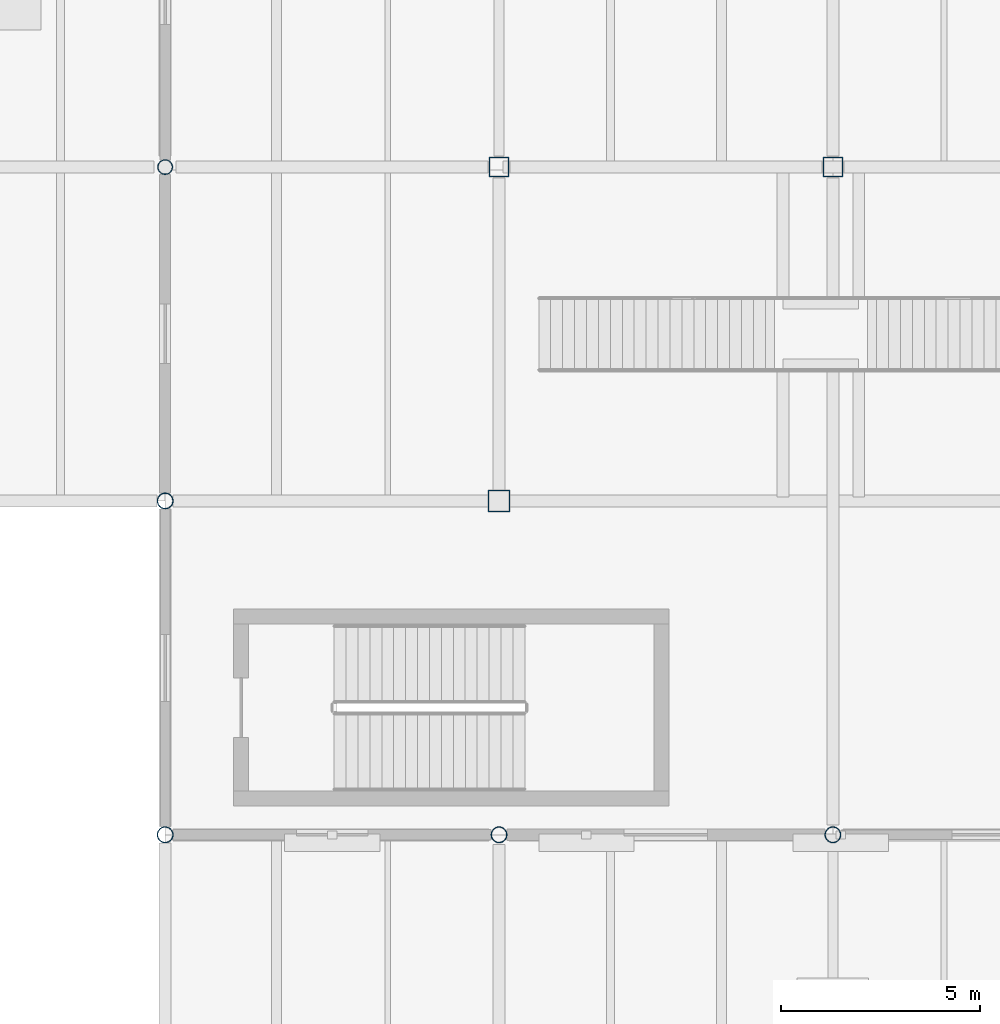
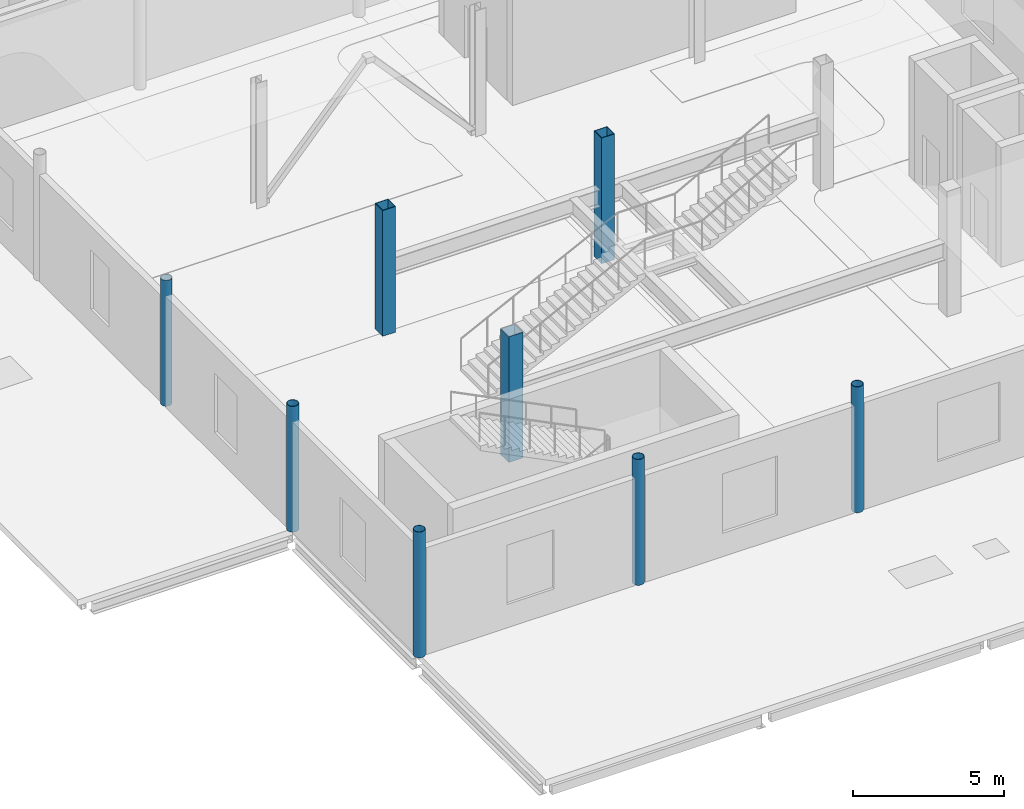
# One storey, part 3 of 103: 8 columns.
"""IFC4 building model written with IfcOpenShell, lengths in metres."""

import ifcopenshell
import ifcopenshell.guid

model = None  # the IFC model being written
_history = None  # IfcOwnerHistory: only IFC2X3 demands one
_inside = {}  # id of a spatial element -> (the spatial element, [elements in it])
_under = {}  # id of a project, library or spatial element -> (it, [spatial elements below it])
_declared = {}  # id of a project -> (the project, [libraries it declares])
_typed = {}  # id of a type object -> (the type object, [elements of that type])
_made_of = {}  # id of a material, layer set ... -> (it, [elements and type objects made of it])


def new_model(schema):
    """Start an empty IFC model of exactly this schema.

    Asked for "IFC4X3", IfcOpenShell would pick the latest addendum, in which some entities
    have other attributes; the version numbers below select the first issue.
    IFC2X3 requires an IfcOwnerHistory on every rooted entity: one is made here for all.
    """
    global model, _history
    if schema == "IFC4X3":
        model = ifcopenshell.file(schema_version=(4, 3, 0, 0))
    else:
        model = ifcopenshell.file(schema=schema)
    _inside.clear()
    _under.clear()
    _declared.clear()
    _typed.clear()
    _made_of.clear()
    _history = None
    if model.schema == "IFC2X3":
        org = make("IfcOrganization", Name="unknown")
        user = make(
            "IfcPersonAndOrganization",
            ThePerson=make("IfcPerson", FamilyName="unknown"),
            TheOrganization=org,
        )
        app = make(
            "IfcApplication",
            ApplicationDeveloper=org,
            Version="unknown",
            ApplicationFullName="unknown",
            ApplicationIdentifier="unknown",
        )
        _history = make(
            "IfcOwnerHistory",
            OwningUser=user,
            OwningApplication=app,
            ChangeAction="ADDED",
            CreationDate=0,
        )
    return model


def make(cls, **values):
    """One entity of the class cls with the attributes given. An attribute that is None is left unset."""
    return model.create_entity(
        cls, **{name: value for name, value in values.items() if value is not None}
    )


def rooted(cls, **values):
    """An entity with a GlobalId (a new one), such as an element, a storey or a relation."""
    return make(cls, GlobalId=ifcopenshell.guid.new(), OwnerHistory=_history, **values)


def si_unit(unit_type, name, prefix=None):
    """IfcSIUnit, for example si_unit("LENGTHUNIT", "METRE", prefix="MILLI")."""
    return make("IfcSIUnit", UnitType=unit_type, Prefix=prefix, Name=name)


def assignment(units):
    """IfcUnitAssignment: the units of a project."""
    return None if units is None else make("IfcUnitAssignment", Units=units)


def point(xyz):
    """IfcCartesianPoint."""
    return None if xyz is None else make("IfcCartesianPoint", Coordinates=xyz)


def direction(xyz):
    """IfcDirection."""
    return None if xyz is None else make("IfcDirection", DirectionRatios=xyz)


def frame(location, z_axis=None, x_axis=None):
    """IfcAxis2Placement3D, a coordinate frame: its origin and axes. An axis left out is left unset."""
    return make(
        "IfcAxis2Placement3D",
        Location=point(location),
        Axis=direction(z_axis),
        RefDirection=direction(x_axis),
    )


def frame_2d(location, x_axis=None):
    """IfcAxis2Placement2D, a coordinate frame in the plane: its origin and x axis."""
    return make(
        "IfcAxis2Placement2D", Location=point(location), RefDirection=direction(x_axis)
    )


def origin():
    """The frame at (0, 0, 0) with its axes left unset."""
    return frame((0.0, 0.0, 0.0))


def origin_2d():
    """The frame at (0, 0) in the plane with its x axis left unset."""
    return frame_2d((0.0, 0.0))


def place(relative_to, where):
    """IfcLocalPlacement: puts the frame where relative to a parent placement (None: the world)."""
    return make(
        "IfcLocalPlacement", PlacementRelTo=relative_to, RelativePlacement=where
    )


def context(
    kind, dimensions, precision=None, world=None, true_north=None, identifier=None
):
    """IfcGeometricRepresentationContext, for example the 3D "Model" context."""
    return make(
        "IfcGeometricRepresentationContext",
        ContextIdentifier=identifier,
        ContextType=kind,
        CoordinateSpaceDimension=dimensions,
        Precision=precision,
        WorldCoordinateSystem=world,
        TrueNorth=true_north,
    )


def subcontext(parent, identifier, kind, view, scale=None):
    """IfcGeometricRepresentationSubContext, for example "Body" below "Model"."""
    return make(
        "IfcGeometricRepresentationSubContext",
        ContextIdentifier=identifier,
        ContextType=kind,
        ParentContext=parent,
        TargetScale=scale,
        TargetView=view,
    )


def project(units=None, contexts=None):
    """IfcProject with its units and contexts."""
    return rooted(
        "IfcProject",
        Name="project",
        RepresentationContexts=contexts,
        UnitsInContext=assignment(units),
    )


def spatial(cls, under=None, at=None, **own):
    """A site, building, storey or space (cls), placed at a placement, below another one or the project."""
    s = rooted(cls, ObjectPlacement=at, **own)
    if under is not None:
        _under.setdefault(under.id(), (under, []))[1].append(s)
    return s


def profile(cls, at=None, kind="AREA", **sizes):
    """A parametric profile (cls). Its sizes go by their IFC names, for example OverallWidth=200.0."""
    return make(cls, ProfileType=kind, Position=at, **sizes)


def hollow_rectangle(**sizes):
    """IfcRectangleHollowProfileDef."""
    return profile("IfcRectangleHollowProfileDef", **sizes)


def hollow_circle(**sizes):
    """IfcCircleHollowProfileDef."""
    return profile("IfcCircleHollowProfileDef", **sizes)


def extrude(swept, where, along, depth):
    """IfcExtrudedAreaSolid: the profile swept, set in the frame where, extruded along a direction by depth."""
    return make(
        "IfcExtrudedAreaSolid",
        SweptArea=swept,
        Position=where,
        ExtrudedDirection=direction(along),
        Depth=depth,
    )


def shape(context_of_items, identifier, shape_type, items):
    """IfcShapeRepresentation: the items that make up one representation, for example the "Body"."""
    return make(
        "IfcShapeRepresentation",
        ContextOfItems=context_of_items,
        RepresentationIdentifier=identifier,
        RepresentationType=shape_type,
        Items=items,
    )


def material(Name=None, Category=None):
    """IfcMaterial."""
    return make("IfcMaterial", Name=Name, Category=Category)


def material_profile(
    of_material, cross_section, Name=None, Category=None, Priority=None
):
    """IfcMaterialProfile: a cross section and its material."""
    return make(
        "IfcMaterialProfile",
        Name=Name,
        Material=of_material,
        Profile=cross_section,
        Priority=Priority,
        Category=Category,
    )


def profile_set(profiles, Name=None, composite=None):
    """IfcMaterialProfileSet."""
    return make(
        "IfcMaterialProfileSet",
        Name=Name,
        MaterialProfiles=profiles,
        CompositeProfile=composite,
    )


def made_of(thing, what):
    """Note that an element or type object is made of a material, layer set ...; save() writes the relation."""
    if what is not None:
        _made_of.setdefault(what.id(), (what, []))[1].append(thing)
    return thing


def type_object(cls, material=None, **own):
    """A type object (cls), such as IfcWallType, which elements share."""
    return made_of(rooted(cls, **own), material)


def element(
    cls,
    number,
    at=None,
    inside=None,
    cuts=None,
    type_object=None,
    material=None,
    context=None,
    identifier="Body",
    shape_type=None,
    held_by="IfcProductDefinitionShape",
    body=None,
    shapes=None,
    **own,
):
    """One element of the class cls, such as IfcWall. Its Tag is "e" and its number.

    at: its placement. inside: the storey or other place that contains it. cuts: it is an
    opening in that element (IfcRelVoidsElement). A single representation is given by context,
    identifier, shape_type and body (its items); several are given by shapes. held_by: the class
    of the entity that holds the representations. save() writes the other relations.
    """
    e = rooted(cls, Tag="e%d" % number, ObjectPlacement=at, **own)
    if body is not None:
        shapes = [shape(context, identifier, shape_type, body)]
    if shapes is not None:
        e.Representation = make(held_by, Representations=shapes)
    if inside is not None:
        _inside.setdefault(inside.id(), (inside, []))[1].append(e)
    if cuts is not None:
        rooted(
            "IfcRelVoidsElement", RelatingBuildingElement=cuts, RelatedOpeningElement=e
        )
    if type_object is not None:
        _typed.setdefault(type_object.id(), (type_object, []))[1].append(e)
    return made_of(e, material)


def aggregate(whole, parts):
    """IfcRelAggregates: a whole, such as a stair, and the parts it consists of."""
    return rooted("IfcRelAggregates", RelatingObject=whole, RelatedObjects=parts)


def save(model, path):
    """Write the relations noted so far, then the file.

    IfcRelAggregates (storeys below a building ...), IfcRelContainedInSpatialStructure (elements
    in a storey), IfcRelDefinesByType, IfcRelAssociatesMaterial and IfcRelDeclares: one each for
    every whole, place, type object, material and project.
    """
    for whole, parts in _under.values():
        aggregate(whole, parts)
    for where, things in _inside.values():
        rooted(
            "IfcRelContainedInSpatialStructure",
            RelatedElements=things,
            RelatingStructure=where,
        )
    for kind, things in _typed.values():
        rooted("IfcRelDefinesByType", RelatedObjects=things, RelatingType=kind)
    for what, things in _made_of.values():
        rooted("IfcRelAssociatesMaterial", RelatedObjects=things, RelatingMaterial=what)
    for by, libraries in _declared.values():
        rooted("IfcRelDeclares", RelatingContext=by, RelatedDefinitions=libraries)
    model.write(path)


model = new_model("IFC4")

# Units and contexts
model_context = context("Model", 3, precision=1e-05, world=origin(), true_north=direction((0.0, 1.0)))
body_context = subcontext(model_context, "Body", "Model", "MODEL_VIEW")
ifc_project = project(units=[si_unit("LENGTHUNIT", "METRE"), si_unit("AREAUNIT", "SQUARE_METRE"), si_unit("VOLUMEUNIT", "CUBIC_METRE"), si_unit("PLANEANGLEUNIT", "RADIAN"), si_unit("MASSUNIT", "GRAM", prefix="KILO"), si_unit("THERMODYNAMICTEMPERATUREUNIT", "KELVIN")], contexts=[model_context])

# Site, building, storey
site_placement = place(None, origin())
site = spatial("IfcSite", under=ifc_project, at=site_placement, CompositionType="ELEMENT")
building_placement = place(site_placement, origin())
building = spatial("IfcBuilding", under=site, at=building_placement, Name="Lustrewick Department Store", CompositionType="ELEMENT")
storey_placement = place(building_placement, frame((0.0, 0.0, 16.5)))
storey = spatial("IfcBuildingStorey", under=building, at=storey_placement, Name="L04", CompositionType="ELEMENT", Elevation=16.5)

# Columns
ifc_material_1 = material(Name="Structural steel Q355C", Category="steel")
ifc_material_profile_1 = material_profile(ifc_material_1, hollow_rectangle(XDim=0.550048828125, YDim=0.550048828125, WallThickness=0.02197265625, at=origin_2d()), Name="BOX 550x550x22")
ifc_profile_set_1 = profile_set([ifc_material_profile_1], Name="Structural steel Q355C")
column_type_1 = type_object("IfcColumnType", Name="C05", PredefinedType="COLUMN", material=ifc_profile_set_1)
column_1_placement = place(storey_placement, frame((126.0, 25.199951171875, 0.0), z_axis=(0.0, 0.0, 1.0), x_axis=(1.0, 0.0, 0.0)))
element("IfcColumn", 1, at=column_1_placement, inside=storey, type_object=column_type_1, Name="L04 V3 Column C05", PredefinedType="COLUMN", context=body_context, shape_type="SweptSolid", body=[
    extrude(hollow_rectangle(XDim=0.550048828125, YDim=0.550048828125, WallThickness=0.02197265625, at=origin_2d()), origin(), (0.0, 0.0, 1.0), 5.10009765625),
])
ifc_material_2 = material(Name="Structural steel Q355B", Category="steel")
ifc_material_profile_2 = material_profile(ifc_material_2, hollow_rectangle(XDim=0.5, YDim=0.5, WallThickness=0.02001953125, at=origin_2d()), Name="BOX 500x500x20")
ifc_profile_set_2 = profile_set([ifc_material_profile_2], Name="Structural steel Q355B")
column_type_2 = type_object("IfcColumnType", Name="C06", PredefinedType="COLUMN", material=ifc_profile_set_2)
for number, where, z_axis, x_axis, name in (
    (2, (126.0, 33.60009765625, 0.0), (0.0, 0.0, 1.0), (1.0, 0.0, 0.0), "L04 V3 Column C06"),
    (3, (134.39990234375, 33.60009765625, 0.0), (0.0, 0.0, 1.0), (1.0, 0.0, 0.0), "L04 V3 Column C06"),
):
    element("IfcColumn", number, at=place(storey_placement, frame(where, z_axis=z_axis, x_axis=x_axis)), inside=storey, type_object=column_type_2, Name=name, PredefinedType="COLUMN", context=body_context, shape_type="SweptSolid", body=[
        extrude(hollow_rectangle(XDim=0.5, YDim=0.5, WallThickness=0.02001953125, at=origin_2d()), origin(), (0.0, 0.0, 1.0), 5.10009765625),
    ])
ifc_material_profile_3 = material_profile(ifc_material_1, hollow_circle(Radius=0.202880859375, WallThickness=0.01611328125, at=origin_2d()), Name="CHS 406x16")
ifc_profile_set_3 = profile_set([ifc_material_profile_3], Name="Structural steel Q355C")
column_type_3 = type_object("IfcColumnType", Name="CE03", PredefinedType="COLUMN", material=ifc_profile_set_3)
for number, where, z_axis, x_axis, name in (
    (4, (117.60009765625, 16.800048828125, 0.0), (0.0, 0.0, 1.0), (1.0, 0.0, 0.0), "L04 V3 Column CE03"),
    (5, (117.60009765625, 25.199951171875, 0.0), (0.0, 0.0, 1.0), (1.0, 0.0, 0.0), "L04 V3 Column CE03"),
    (6, (126.0, 16.800048828125, 0.0), (0.0, 0.0, 1.0), (1.0, 0.0, 0.0), "L04 V3 Column CE03"),
    (7, (134.39990234375, 16.800048828125, 0.0), (0.0, 0.0, 1.0), (1.0, 0.0, 0.0), "L04 V3 Column CE03"),
):
    element("IfcColumn", number, at=place(storey_placement, frame(where, z_axis=z_axis, x_axis=x_axis)), inside=storey, type_object=column_type_3, Name=name, PredefinedType="COLUMN", context=body_context, shape_type="SweptSolid", body=[
        extrude(hollow_circle(Radius=0.202880859375, WallThickness=0.01611328125, at=origin_2d()), origin(), (0.0, 0.0, 1.0), 5.10009765625),
    ])
ifc_material_profile_4 = material_profile(ifc_material_2, hollow_circle(Radius=0.1884765625, WallThickness=0.013916015625, at=origin_2d()), Name="CHS 377x14")
ifc_profile_set_4 = profile_set([ifc_material_profile_4], Name="Structural steel Q355B")
column_type_4 = type_object("IfcColumnType", Name="CE04", PredefinedType="COLUMN", material=ifc_profile_set_4)
column_2_placement = place(storey_placement, frame((117.60009765625, 33.60009765625, 0.0), z_axis=(0.0, 0.0, 1.0), x_axis=(1.0, 0.0, 0.0)))
element("IfcColumn", 8, at=column_2_placement, inside=storey, type_object=column_type_4, Name="L04 V3 Column CE04", PredefinedType="COLUMN", context=body_context, shape_type="SweptSolid", body=[
    extrude(hollow_circle(Radius=0.1884765625, WallThickness=0.013916015625, at=origin_2d()), origin(), (0.0, 0.0, 1.0), 5.10009765625),
])

save(model, "model.ifc")
